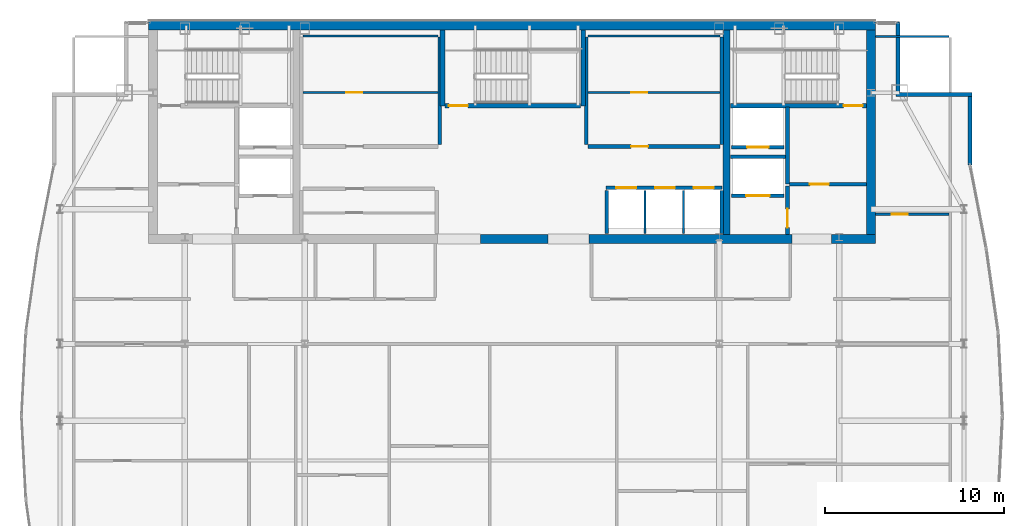
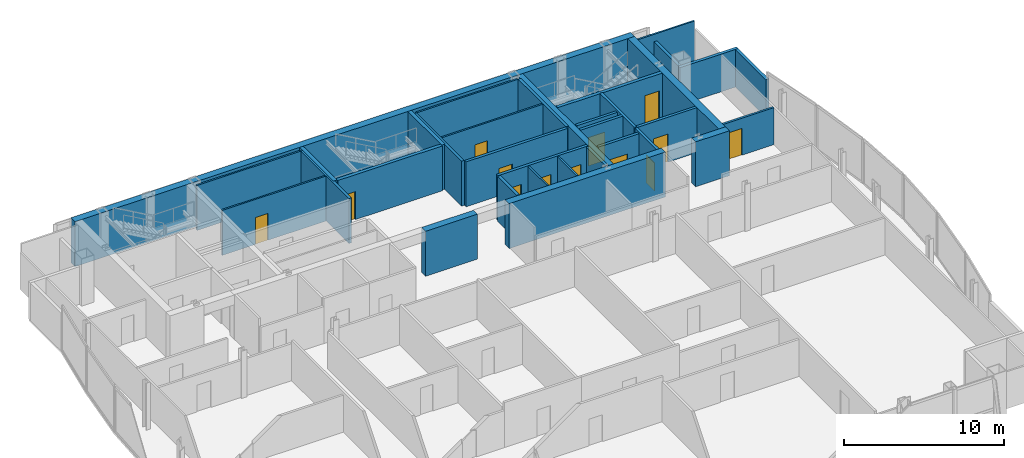
# One storey, part 24 of 27: 34 walls, 13 doors, 13 openings.
"""IFC4 building model written with IfcOpenShell, lengths in metres."""

from ifc_helpers import new_model, si_unit, direction, frame, frame_2d, origin, place, context, subcontext, project, spatial, rectangle, extrude, material, layer, layer_set, type_object, element, fill, save


model = new_model("IFC4")

# Units and contexts
model_context = context("Model", 3, precision=1e-05, world=origin(), true_north=direction((0.0, 1.0)))
body_context = subcontext(model_context, "Body", "Model", "MODEL_VIEW")
ifc_project = project(units=[si_unit("LENGTHUNIT", "METRE"), si_unit("AREAUNIT", "SQUARE_METRE"), si_unit("VOLUMEUNIT", "CUBIC_METRE"), si_unit("PLANEANGLEUNIT", "RADIAN"), si_unit("MASSUNIT", "GRAM", prefix="KILO")], contexts=[model_context])

# Site, building, storey
site_placement = place(None, origin())
site = spatial("IfcSite", under=ifc_project, at=site_placement, CompositionType="ELEMENT")
building_placement = place(site_placement, origin())
building = spatial("IfcBuilding", under=site, at=building_placement, Name="Khoronbel Lancet Exchange", CompositionType="ELEMENT")
storey_placement = place(building_placement, frame((0.0, 0.0, 332.60009765625)))
storey = spatial("IfcBuildingStorey", under=building, at=storey_placement, Name="L86", CompositionType="ELEMENT", Elevation=332.60009765625)

# Walls
ifc_material_1 = material(Name="Concrete C60/75", Category="concrete")
ifc_layer_1 = layer(ifc_material_1, 0.5, Name="Concrete C60/75")
ifc_layer_set_1 = layer_set([ifc_layer_1], Name="Concrete C60/75")
wall_type_1 = type_object("IfcWallType", Name="WL-CW4", PredefinedType="SHEAR", material=ifc_layer_set_1)
wall_1_placement = place(storey_placement, frame((16.199951171875, 53.449951171875, 0.0), z_axis=(0.0, 0.0, 1.0), x_axis=(1.0, 0.0, 0.0)))
element("IfcWall", 1, at=wall_1_placement, inside=storey, type_object=wall_type_1, Name="Level L86 rear core north shear wall", PredefinedType="SHEAR", context=body_context, shape_type="SweptSolid", body=[
    extrude(rectangle(XDim=40.5, YDim=0.5, at=frame_2d((20.25, 0.0))), origin(), (0.0, 0.0, 1.0), 3.43994140625),
])
wall_2_placement = place(storey_placement, frame((56.449951171875, 53.199951171875, 0.0), z_axis=(0.0, 0.0, 1.0), x_axis=(0.0, -1.0, 0.0)))
element("IfcWall", 2, at=wall_2_placement, inside=storey, type_object=wall_type_1, Name="Level L86 rear core east shear wall", PredefinedType="SHEAR", context=body_context, shape_type="SweptSolid", body=[
    extrude(rectangle(XDim=11.39990234375, YDim=0.5, at=frame_2d((5.699951171875, 0.0))), origin(), (0.0, 0.0, 1.0), 3.43994140625),
])
wall_3_placement = place(storey_placement, frame((38.449951171875, 41.550048828125, 0.0), z_axis=(0.0, 0.0, 1.0), x_axis=(-1.0, 0.0, 0.0)))
element("IfcWall", 3, at=wall_3_placement, inside=storey, type_object=wall_type_1, Name="Level L86 rear core south shear wall pier P3", PredefinedType="SHEAR", context=body_context, shape_type="SweptSolid", body=[
    extrude(rectangle(XDim=3.75, YDim=0.5, at=frame_2d((1.875, 0.0))), origin(), (0.0, 0.0, 1.0), 3.43994140625),
])
wall_4_placement = place(storey_placement, frame((52.050048828125, 41.550048828125, 0.0), z_axis=(0.0, 0.0, 1.0), x_axis=(-1.0, 0.0, 0.0)))
element("IfcWall", 4, at=wall_4_placement, inside=storey, type_object=wall_type_1, Name="Level L86 rear core south shear wall pier P4", PredefinedType="SHEAR", context=body_context, shape_type="SweptSolid", body=[
    extrude(rectangle(XDim=11.300048828125, YDim=0.5, at=frame_2d((5.64990234375, 0.0))), origin(), (0.0, 0.0, 1.0), 3.43994140625),
])
wall_5_placement = place(storey_placement, frame((56.699951171875, 41.550048828125, 0.0), z_axis=(0.0, 0.0, 1.0), x_axis=(-1.0, 0.0, 0.0)))
element("IfcWall", 5, at=wall_5_placement, inside=storey, type_object=wall_type_1, Name="Level L86 rear core south shear wall pier P5", PredefinedType="SHEAR", context=body_context, shape_type="SweptSolid", body=[
    extrude(rectangle(XDim=2.449951171875, YDim=0.5, at=frame_2d((1.22509765625, 0.0))), origin(), (0.0, 0.0, 1.0), 3.43994140625),
])
ifc_material_2 = material(Name="Precast concrete C40/50", Category="concrete")
ifc_layer_2 = layer(ifc_material_2, 0.25, Name="Precast concrete C40/50")
ifc_layer_set_2 = layer_set([ifc_layer_2], Name="Precast concrete C40/50")
wall_type_2 = type_object("IfcWallType", Name="WL-EXT250", PredefinedType="SOLIDWALL", material=ifc_layer_set_2)
wall_6_placement = place(storey_placement, frame((57.9599609375, 53.6298828125, 0.0), z_axis=(0.0, 0.0, 1.0), x_axis=(0.0, -1.0, 0.0)))
element("IfcWall", 6, at=wall_6_placement, inside=storey, type_object=wall_type_2, Name="Level L86 notched-corner limestone pier 14", PredefinedType="SOLIDWALL", context=body_context, shape_type="SweptSolid", body=[
    extrude(rectangle(XDim=3.909912109375, YDim=0.219970703125, at=frame_2d((1.955078125, 0.0))), origin(), (0.0, 0.0, 1.0), 2.8798828125),
])
wall_7_placement = place(storey_placement, frame((57.85009765625, 49.610107421875, 0.0), z_axis=(0.0, 0.0, 1.0), x_axis=(1.0, 0.0, 0.0)))
element("IfcWall", 7, at=wall_7_placement, inside=storey, type_object=wall_type_2, Name="Level L86 notched-corner limestone pier 15", PredefinedType="SOLIDWALL", context=body_context, shape_type="SweptSolid", body=[
    extrude(rectangle(XDim=4.219970703125, YDim=0.219970703125, at=frame_2d((2.10986328125, 0.0))), origin(), (0.0, 0.0, 1.0), 2.8798828125),
])
wall_8_placement = place(storey_placement, frame((61.9599609375, 49.5, 0.0), z_axis=(0.0, 0.0, 1.0), x_axis=(0.0, -1.0, 0.0)))
element("IfcWall", 8, at=wall_8_placement, inside=storey, type_object=wall_type_2, Name="Level L86 notched-corner limestone pier 16", PredefinedType="SOLIDWALL", context=body_context, shape_type="SweptSolid", body=[
    extrude(rectangle(XDim=3.82861328125, YDim=0.219970703125, at=frame_2d((1.914306640625, 0.0))), origin(), (0.0, 0.0, 1.0), 2.8798828125),
])

# Wall, opening, door
ifc_material_3 = material(Name="Acoustic Metal-Stud & Mineral-Wool Gypsum Partition 120 mm", Category="gypsum")
ifc_layer_3 = layer(ifc_material_3, 0.1201171875, Name="Acoustic Metal-Stud & Mineral-Wool Gypsum Partition 120 mm")
ifc_layer_set_3 = layer_set([ifc_layer_3], Name="Acoustic Metal-Stud & Mineral-Wool Gypsum Partition 120 mm")
wall_type_3 = type_object("IfcWallType", Name="WL-PRT120", PredefinedType="PARTITIONING", material=ifc_layer_set_3)
wall_9_placement = place(storey_placement, frame((56.699951171875, 42.919921875, 0.0), z_axis=(0.0, 0.0, 1.0), x_axis=(1.0, 0.0, 0.0)))
wall_9 = element("IfcWall", 9, at=wall_9_placement, inside=storey, type_object=wall_type_3, Name="Level L86 interior partition PW-NE-H", PredefinedType="PARTITIONING", context=body_context, shape_type="SweptSolid", body=[
    extrude(rectangle(XDim=4.10498046875, YDim=0.14990234375, at=frame_2d((2.052490234375, 0.0))), origin(), (0.0, 0.0, 1.0), 2.829833984375),
])
opening_1_placement = place(wall_9_placement, frame((0.89990234375, 0.0, 0.0)))
opening_1 = element("IfcOpeningElement", 10, at=opening_1_placement, cuts=wall_9, Name="Opening D5", PredefinedType="OPENING", context=body_context, shape_type="SweptSolid", body=[
    extrude(rectangle(XDim=0.89990234375, YDim=2.050048828125, at=frame_2d((0.449951171875, 1.02490234375))), frame((0.0, 0.0849609375, 0.0), z_axis=(0.0, -1.0, 0.0), x_axis=(1.0, 0.0, 0.0)), (0.0, 0.0, 1.0), 0.169921875),
])
ifc_material_4 = material(Name="Acoustic Timber Pantry & Support Door", Category="wood")
door_type_1 = type_object("IfcDoorType", Name="DR-D5", OperationType="NOTDEFINED", PredefinedType="DOOR", material=ifc_material_4)
door_1_placement = place(opening_1_placement, origin())
door_1 = element("IfcDoor", 11, at=door_1_placement, inside=storey, type_object=door_type_1, Name="NE north room door L86-1", OperationType="SINGLE_SWING_LEFT", OverallHeight=2.050048828125, OverallWidth=0.89990234375, PredefinedType="DOOR", context=body_context, shape_type="SweptSolid", body=[
    extrude(rectangle(XDim=0.89990234375, YDim=2.050048828125, at=frame_2d((0.449951171875, 1.02490234375))), frame((0.0, 0.02490234375, 0.0), z_axis=(0.0, -1.0, 0.0), x_axis=(1.0, 0.0, 0.0)), (0.0, 0.0, 1.0), 0.050048828125),
])
fill(opening_1, door_1)

# Walls
wall_10_placement = place(storey_placement, frame((56.699951171875, 52.840087890625, 0.0), z_axis=(0.0, 0.0, 1.0), x_axis=(1.0, 0.0, 0.0)))
element("IfcWall", 12, at=wall_10_placement, inside=storey, type_object=wall_type_3, Name="Level L86 interior partition PW-LIN-NE", PredefinedType="PARTITIONING", context=body_context, shape_type="SweptSolid", body=[
    extrude(rectangle(XDim=4.10498046875, YDim=0.1201171875, at=frame_2d((2.052490234375, 0.0))), origin(), (0.0, 0.0, 1.0), 3.43994140625),
])
ifc_material_5 = material(Name="Fire-Rated Metal-Stud & Mineral-Wool Gypsum Partition 120 mm", Category="gypsum")
ifc_layer_4 = layer(ifc_material_5, 0.1201171875, Name="Fire-Rated Metal-Stud & Mineral-Wool Gypsum Partition 120 mm")
ifc_layer_set_4 = layer_set([ifc_layer_4], Name="Fire-Rated Metal-Stud & Mineral-Wool Gypsum Partition 120 mm")
wall_type_4 = type_object("IfcWallType", Name="WL-PRT120F", PredefinedType="PARTITIONING", material=ifc_layer_set_4)
wall_11_placement = place(storey_placement, frame((24.804931640625, 52.860107421875, 0.0), z_axis=(0.0, 0.0, 1.0), x_axis=(1.0, 0.0, 0.0)))
element("IfcWall", 13, at=wall_11_placement, inside=storey, type_object=wall_type_4, Name="Level L86 interior partition CW-PL-RN", PredefinedType="PARTITIONING", context=body_context, shape_type="SweptSolid", body=[
    extrude(rectangle(XDim=7.510009765625, YDim=0.1201171875, at=frame_2d((3.7548828125, 0.0))), origin(), (0.0, 0.0, 1.0), 3.43994140625),
])

# Wall, opening, door
wall_12_placement = place(storey_placement, frame((24.804931640625, 49.708740234375, 0.0), z_axis=(0.0, 0.0, 1.0), x_axis=(1.0, 0.0, 0.0)))
wall_12 = element("IfcWall", 14, at=wall_12_placement, inside=storey, type_object=wall_type_4, Name="Level L86 interior partition CW-PL-RH", PredefinedType="PARTITIONING", context=body_context, shape_type="SweptSolid", body=[
    extrude(rectangle(XDim=7.510009765625, YDim=0.1201171875, at=frame_2d((3.7548828125, 0.0))), origin(), (0.0, 0.0, 1.0), 3.43994140625),
])
opening_2_placement = place(wall_12_placement, frame((2.39990234375, 0.0, 0.0)))
opening_2 = element("IfcOpeningElement", 15, at=opening_2_placement, cuts=wall_12, Name="Opening FD4", PredefinedType="OPENING", context=body_context, shape_type="SweptSolid", body=[
    extrude(rectangle(XDim=0.89990234375, YDim=2.050048828125, at=frame_2d((0.449951171875, 1.02490234375))), frame((0.0, 0.070068359375, 0.0), z_axis=(0.0, -1.0, 0.0), x_axis=(1.0, 0.0, 0.0)), (0.0, 0.0, 1.0), 0.14013671875),
])
ifc_material_6 = material(Name="Fire-Rated Steel Core Support Door Assembly", Category="steel")
door_type_2 = type_object("IfcDoorType", Name="DR-FD4", OperationType="NOTDEFINED", PredefinedType="DOOR", material=ifc_material_6)
door_2_placement = place(opening_2_placement, origin())
door_2 = element("IfcDoor", 16, at=door_2_placement, inside=storey, type_object=door_type_2, Name="Core PL inner store door L86-1", OperationType="SINGLE_SWING_LEFT", OverallHeight=2.050048828125, OverallWidth=0.89990234375, PredefinedType="DOOR", context=body_context, shape_type="SweptSolid", body=[
    extrude(rectangle(XDim=0.89990234375, YDim=2.050048828125, at=frame_2d((0.449951171875, 1.02490234375))), frame((0.0, 0.02490234375, 0.0), z_axis=(0.0, -1.0, 0.0), x_axis=(1.0, 0.0, 0.0)), (0.0, 0.0, 1.0), 0.050048828125),
])
fill(opening_2, door_2)

# Wall
wall_13_placement = place(storey_placement, frame((40.68505859375, 52.860107421875, 0.0), z_axis=(0.0, 0.0, 1.0), x_axis=(1.0, 0.0, 0.0)))
element("IfcWall", 17, at=wall_13_placement, inside=storey, type_object=wall_type_4, Name="Level L86 interior partition CW-PH-RN", PredefinedType="PARTITIONING", context=body_context, shape_type="SweptSolid", body=[
    extrude(rectangle(XDim=7.349853515625, YDim=0.1201171875, at=frame_2d((3.6748046875, 0.0))), origin(), (0.0, 0.0, 1.0), 3.43994140625),
])

# Wall, opening, door
wall_14_placement = place(storey_placement, frame((40.68505859375, 49.708740234375, 0.0), z_axis=(0.0, 0.0, 1.0), x_axis=(1.0, 0.0, 0.0)))
wall_14 = element("IfcWall", 18, at=wall_14_placement, inside=storey, type_object=wall_type_4, Name="Level L86 interior partition CW-PH-RH", PredefinedType="PARTITIONING", context=body_context, shape_type="SweptSolid", body=[
    extrude(rectangle(XDim=7.349853515625, YDim=0.1201171875, at=frame_2d((3.6748046875, 0.0))), origin(), (0.0, 0.0, 1.0), 3.43994140625),
])
opening_3_placement = place(wall_14_placement, frame((2.39990234375, 0.0, 0.0)))
opening_3 = element("IfcOpeningElement", 19, at=opening_3_placement, cuts=wall_14, Name="Opening FD4", PredefinedType="OPENING", context=body_context, shape_type="SweptSolid", body=[
    extrude(rectangle(XDim=0.89990234375, YDim=2.050048828125, at=frame_2d((0.449951171875, 1.02490234375))), frame((0.0, 0.070068359375, 0.0), z_axis=(0.0, -1.0, 0.0), x_axis=(1.0, 0.0, 0.0)), (0.0, 0.0, 1.0), 0.14013671875),
])
door_3_placement = place(opening_3_placement, origin())
door_3 = element("IfcDoor", 20, at=door_3_placement, inside=storey, type_object=door_type_2, Name="Core PH inner store door L86-1", OperationType="SINGLE_SWING_LEFT", OverallHeight=2.050048828125, OverallWidth=0.89990234375, PredefinedType="DOOR", context=body_context, shape_type="SweptSolid", body=[
    extrude(rectangle(XDim=0.89990234375, YDim=2.050048828125, at=frame_2d((0.449951171875, 1.02490234375))), frame((0.0, 0.02490234375, 0.0), z_axis=(0.0, -1.0, 0.0), x_axis=(1.0, 0.0, 0.0)), (0.0, 0.0, 1.0), 0.050048828125),
])
fill(opening_3, door_3)

# Walls
for number, where, z_axis, x_axis, name in (
    (21, (43.860107421875, 41.85009765625, 0.0), (0.0, 0.0, 1.0), (0.0, 1.0, 0.0), "Level L86 interior partition CW-PX-D1"),
    (22, (46.0, 41.85009765625, 0.0), (0.0, 0.0, 1.0), (0.0, 1.0, 0.0), "Level L86 interior partition CW-PX-D2"),
):
    element("IfcWall", number, at=place(storey_placement, frame(where, z_axis=z_axis, x_axis=x_axis)), inside=storey, type_object=wall_type_4, Name=name, PredefinedType="PARTITIONING", context=body_context, shape_type="SweptSolid", body=[
        extrude(rectangle(XDim=2.39990234375, YDim=0.1201171875, at=frame_2d((1.199951171875, 0.0))), origin(), (0.0, 0.0, 1.0), 3.43994140625),
    ])

# Wall, openings, doors
ifc_material_7 = material(Name="Autoclaved Aerated Concrete Blockwork 200 mm", Category="masonry")
ifc_layer_5 = layer(ifc_material_7, 0.199951171875, Name="Autoclaved Aerated Concrete Blockwork 200 mm")
ifc_layer_set_5 = layer_set([ifc_layer_5], Name="Autoclaved Aerated Concrete Blockwork 200 mm")
wall_type_5 = type_object("IfcWallType", Name="WL-PRT200", PredefinedType="PARTITIONING", material=ifc_layer_set_5)
wall_15_placement = place(storey_placement, frame((41.679931640625, 44.39990234375, 0.0), z_axis=(0.0, 0.0, 1.0), x_axis=(1.0, 0.0, 0.0)))
wall_15 = element("IfcWall", 23, at=wall_15_placement, inside=storey, type_object=wall_type_5, Name="Level L86 elevator hoistway landing front wall PXE", PredefinedType="PARTITIONING", context=body_context, shape_type="SweptSolid", body=[
    extrude(rectangle(XDim=6.47998046875, YDim=0.199951171875, at=frame_2d((3.239990234375, 0.0))), origin(), (0.0, 0.0, 1.0), 3.43994140625),
])
opening_4_placement = place(wall_15_placement, frame((0.580078125, 0.0, 0.0)))
opening_4 = element("IfcOpeningElement", 24, at=opening_4_placement, cuts=wall_15, Name="Opening LD-PX1", PredefinedType="OPENING", context=body_context, shape_type="SweptSolid", body=[
    extrude(rectangle(XDim=1.10009765625, YDim=2.179931640625, at=frame_2d((0.550048828125, 1.08984375))), frame((0.0, 0.10986328125, 0.0), z_axis=(0.0, -1.0, 0.0), x_axis=(1.0, 0.0, 0.0)), (0.0, 0.0, 1.0), 0.219970703125),
])
opening_5_placement = place(wall_15_placement, frame((2.739990234375, 0.0, 0.0)))
opening_5 = element("IfcOpeningElement", 25, at=opening_5_placement, cuts=wall_15, Name="Opening LD-PX2", PredefinedType="OPENING", context=body_context, shape_type="SweptSolid", body=[
    extrude(rectangle(XDim=1.10009765625, YDim=2.179931640625, at=frame_2d((0.550048828125, 1.08984375))), frame((0.0, 0.10986328125, 0.0), z_axis=(0.0, -1.0, 0.0), x_axis=(1.0, 0.0, 0.0)), (0.0, 0.0, 1.0), 0.219970703125),
])
opening_6_placement = place(wall_15_placement, frame((4.89990234375, 0.0, 0.0)))
opening_6 = element("IfcOpeningElement", 26, at=opening_6_placement, cuts=wall_15, Name="Opening LD-PX3", PredefinedType="OPENING", context=body_context, shape_type="SweptSolid", body=[
    extrude(rectangle(XDim=1.10009765625, YDim=2.179931640625, at=frame_2d((0.550048828125, 1.08984375))), frame((0.0, 0.10986328125, 0.0), z_axis=(0.0, -1.0, 0.0), x_axis=(1.0, 0.0, 0.0)), (0.0, 0.0, 1.0), 0.219970703125),
])
ifc_material_8 = material(Name="Brushed Bronze Bi-Parting Elevator Landing Door", Category="steel")
door_type_3 = type_object("IfcDoorType", Name="DR-LD-PAX", OperationType="NOTDEFINED", PredefinedType="DOOR", material=ifc_material_8)
door_4_placement = place(opening_4_placement, origin())
door_4 = element("IfcDoor", 27, at=door_4_placement, inside=storey, type_object=door_type_3, Name="Elevator landing sliding door LD-PX1 L86", OperationType="SLIDING_TO_LEFT", OverallHeight=2.179931640625, OverallWidth=1.10009765625, PredefinedType="DOOR", context=body_context, shape_type="SweptSolid", body=[
    extrude(rectangle(XDim=1.10009765625, YDim=2.179931640625, at=frame_2d((0.550048828125, 1.08984375))), frame((0.0, 0.02490234375, 0.0), z_axis=(0.0, -1.0, 0.0), x_axis=(1.0, 0.0, 0.0)), (0.0, 0.0, 1.0), 0.050048828125),
])
fill(opening_4, door_4)
door_5_placement = place(opening_5_placement, origin())
door_5 = element("IfcDoor", 28, at=door_5_placement, inside=storey, type_object=door_type_3, Name="Elevator landing sliding door LD-PX2 L86", OperationType="SLIDING_TO_LEFT", OverallHeight=2.179931640625, OverallWidth=1.10009765625, PredefinedType="DOOR", context=body_context, shape_type="SweptSolid", body=[
    extrude(rectangle(XDim=1.10009765625, YDim=2.179931640625, at=frame_2d((0.550048828125, 1.08984375))), frame((0.0, 0.02490234375, 0.0), z_axis=(0.0, -1.0, 0.0), x_axis=(1.0, 0.0, 0.0)), (0.0, 0.0, 1.0), 0.050048828125),
])
fill(opening_5, door_5)
door_6_placement = place(opening_6_placement, origin())
door_6 = element("IfcDoor", 29, at=door_6_placement, inside=storey, type_object=door_type_3, Name="Elevator landing sliding door LD-PX3 L86", OperationType="SLIDING_TO_LEFT", OverallHeight=2.179931640625, OverallWidth=1.10009765625, PredefinedType="DOOR", context=body_context, shape_type="SweptSolid", body=[
    extrude(rectangle(XDim=1.10009765625, YDim=2.179931640625, at=frame_2d((0.550048828125, 1.08984375))), frame((0.0, 0.02490234375, 0.0), z_axis=(0.0, -1.0, 0.0), x_axis=(1.0, 0.0, 0.0)), (0.0, 0.0, 1.0), 0.050048828125),
])
fill(opening_6, door_6)

# Wall, opening, door
wall_16_placement = place(storey_placement, frame((51.610107421875, 43.949951171875, 0.0), z_axis=(0.0, 0.0, 1.0), x_axis=(-1.0, 0.0, 0.0)))
wall_16 = element("IfcWall", 30, at=wall_16_placement, inside=storey, type_object=wall_type_5, Name="Level L86 elevator hoistway landing front wall SVLE", PredefinedType="PARTITIONING", context=body_context, shape_type="SweptSolid", body=[
    extrude(rectangle(XDim=2.920166015625, YDim=0.199951171875, at=frame_2d((1.4599609375, 0.0))), origin(), (0.0, 0.0, 1.0), 3.43994140625),
])
opening_7_placement = place(wall_16_placement, frame((0.81005859375, 0.0, 0.0)))
opening_7 = element("IfcOpeningElement", 31, at=opening_7_placement, cuts=wall_16, Name="Opening LD-SVL2", PredefinedType="OPENING", context=body_context, shape_type="SweptSolid", body=[
    extrude(rectangle(XDim=1.300048828125, YDim=2.179931640625, at=frame_2d((0.64990234375, 1.08984375))), frame((0.0, 0.10986328125, 0.0), z_axis=(0.0, -1.0, 0.0), x_axis=(1.0, 0.0, 0.0)), (0.0, 0.0, 1.0), 0.219970703125),
])
ifc_material_9 = material(Name="Heavy-Duty Bi-Parting Goods Lift Landing Door", Category="steel")
door_type_4 = type_object("IfcDoorType", Name="DR-LD-SVL", OperationType="NOTDEFINED", PredefinedType="DOOR", material=ifc_material_9)
door_7_placement = place(opening_7_placement, origin())
door_7 = element("IfcDoor", 32, at=door_7_placement, inside=storey, type_object=door_type_4, Name="Elevator landing sliding door LD-SVL2 L86", OperationType="SLIDING_TO_LEFT", OverallHeight=2.179931640625, OverallWidth=1.300048828125, PredefinedType="DOOR", context=body_context, shape_type="SweptSolid", body=[
    extrude(rectangle(XDim=1.300048828125, YDim=2.179931640625, at=frame_2d((0.64990234375, 1.08984375))), frame((0.0, 0.02490234375, 0.0), z_axis=(0.0, -1.0, 0.0), x_axis=(1.0, 0.0, 0.0)), (0.0, 0.0, 1.0), 0.050048828125),
])
fill(opening_7, door_7)

wall_17_placement = place(storey_placement, frame((51.610107421875, 46.64990234375, 0.0), z_axis=(0.0, 0.0, 1.0), x_axis=(-1.0, 0.0, 0.0)))
wall_17 = element("IfcWall", 33, at=wall_17_placement, inside=storey, type_object=wall_type_5, Name="Level L86 elevator hoistway landing front wall FFLE", PredefinedType="PARTITIONING", context=body_context, shape_type="SweptSolid", body=[
    extrude(rectangle(XDim=2.920166015625, YDim=0.199951171875, at=frame_2d((1.4599609375, 0.0))), origin(), (0.0, 0.0, 1.0), 3.43994140625),
])
opening_8_placement = place(wall_17_placement, frame((0.860107421875, 0.0, 0.0)))
opening_8 = element("IfcOpeningElement", 34, at=opening_8_placement, cuts=wall_17, Name="Opening LD-FFL2", PredefinedType="OPENING", context=body_context, shape_type="SweptSolid", body=[
    extrude(rectangle(XDim=1.199951171875, YDim=2.179931640625, at=frame_2d((0.60009765625, 1.08984375))), frame((0.0, 0.10986328125, 0.0), z_axis=(0.0, -1.0, 0.0), x_axis=(1.0, 0.0, 0.0)), (0.0, 0.0, 1.0), 0.219970703125),
])
ifc_material_10 = material(Name="Fire-Rated Stainless Bi-Parting Firefighting Lift Door", Category="steel")
door_type_5 = type_object("IfcDoorType", Name="DR-LD-FFL", OperationType="NOTDEFINED", PredefinedType="DOOR", material=ifc_material_10)
door_8_placement = place(opening_8_placement, origin())
door_8 = element("IfcDoor", 35, at=door_8_placement, inside=storey, type_object=door_type_5, Name="Elevator landing sliding door LD-FFL2 L86", OperationType="SLIDING_TO_LEFT", OverallHeight=2.179931640625, OverallWidth=1.199951171875, PredefinedType="DOOR", context=body_context, shape_type="SweptSolid", body=[
    extrude(rectangle(XDim=1.199951171875, YDim=2.179931640625, at=frame_2d((0.60009765625, 1.08984375))), frame((0.0, 0.02490234375, 0.0), z_axis=(0.0, -1.0, 0.0), x_axis=(1.0, 0.0, 0.0)), (0.0, 0.0, 1.0), 0.050048828125),
])
fill(opening_8, door_8)

# Wall
wall_18_placement = place(storey_placement, frame((51.800048828125, 44.60009765625, 0.0), z_axis=(0.0, 0.0, 1.0), x_axis=(0.0, 1.0, 0.0)))
element("IfcWall", 36, at=wall_18_placement, inside=storey, type_object=wall_type_5, Name="Level L86 interior partition CW-FFLE-W", PredefinedType="PARTITIONING", context=body_context, shape_type="SweptSolid", body=[
    extrude(rectangle(XDim=4.2998046875, YDim=0.199951171875, at=frame_2d((2.14990234375, 0.0))), origin(), (0.0, 0.0, 1.0), 3.43994140625),
])

# Wall, opening, door
wall_19_placement = place(storey_placement, frame((51.89990234375, 44.60009765625, 0.0), z_axis=(0.0, 0.0, 1.0), x_axis=(1.0, 0.0, 0.0)))
wall_19 = element("IfcWall", 37, at=wall_19_placement, inside=storey, type_object=wall_type_5, Name="Level L86 interior partition CW-FFLE-S", PredefinedType="PARTITIONING", context=body_context, shape_type="SweptSolid", body=[
    extrude(rectangle(XDim=4.300048828125, YDim=0.199951171875, at=frame_2d((2.14990234375, 0.0))), origin(), (0.0, 0.0, 1.0), 3.43994140625),
])
opening_9_placement = place(wall_19_placement, frame((1.14990234375, 0.0, 0.0)))
opening_9 = element("IfcOpeningElement", 38, at=opening_9_placement, cuts=wall_19, Name="Opening FD1", PredefinedType="OPENING", context=body_context, shape_type="SweptSolid", body=[
    extrude(rectangle(XDim=1.050048828125, YDim=2.14990234375, at=frame_2d((0.52490234375, 1.074951171875))), frame((0.0, 0.10986328125, 0.0), z_axis=(0.0, -1.0, 0.0), x_axis=(1.0, 0.0, 0.0)), (0.0, 0.0, 1.0), 0.219970703125),
])
ifc_material_11 = material(Name="Fire-Rated Painted Steel Door Assembly", Category="steel")
door_type_6 = type_object("IfcDoorType", Name="DR-FD1", OperationType="NOTDEFINED", PredefinedType="DOOR", material=ifc_material_11)
door_9_placement = place(opening_9_placement, origin())
door_9 = element("IfcDoor", 39, at=door_9_placement, inside=storey, type_object=door_type_6, Name="East firefighting lobby FD90S door L86-1", OperationType="SINGLE_SWING_LEFT", OverallHeight=2.14990234375, OverallWidth=1.050048828125, PredefinedType="DOOR", context=body_context, shape_type="SweptSolid", body=[
    extrude(rectangle(XDim=1.050048828125, YDim=2.14990234375, at=frame_2d((0.52490234375, 1.074951171875))), frame((0.0, 0.02490234375, 0.0), z_axis=(0.0, -1.0, 0.0), x_axis=(1.0, 0.0, 0.0)), (0.0, 0.0, 1.0), 0.050048828125),
])
fill(opening_9, door_9)

# Wall
wall_20_placement = place(storey_placement, frame((48.6298828125, 46.1201171875, 0.0), z_axis=(0.0, 0.0, 1.0), x_axis=(1.0, 0.0, 0.0)))
element("IfcWall", 40, at=wall_20_placement, inside=storey, type_object=wall_type_5, Name="Level L86 interior partition CW-FFL2-S", PredefinedType="PARTITIONING", context=body_context, shape_type="SweptSolid", body=[
    extrude(rectangle(XDim=3.070068359375, YDim=0.199951171875, at=frame_2d((1.53515625, 0.0))), origin(), (0.0, 0.0, 1.0), 3.43994140625),
])

# Wall, opening, door
wall_21_placement = place(storey_placement, frame((51.800048828125, 41.800048828125, 0.0), z_axis=(0.0, 0.0, 1.0), x_axis=(0.0, 1.0, 0.0)))
wall_21 = element("IfcWall", 41, at=wall_21_placement, inside=storey, type_object=wall_type_5, Name="Level L86 interior partition CW-SVLE-E", PredefinedType="PARTITIONING", context=body_context, shape_type="SweptSolid", body=[
    extrude(rectangle(XDim=2.695068359375, YDim=0.199951171875, at=frame_2d((1.34765625, 0.0))), origin(), (0.0, 0.0, 1.0), 3.43994140625),
])
opening_10_placement = place(wall_21_placement, frame((0.3798828125, 0.0, 0.0)))
opening_10 = element("IfcOpeningElement", 42, at=opening_10_placement, cuts=wall_21, Name="Opening FD1", PredefinedType="OPENING", context=body_context, shape_type="SweptSolid", body=[
    extrude(rectangle(XDim=1.050048828125, YDim=2.14990234375, at=frame_2d((0.52490234375, 1.074951171875))), frame((0.0, 0.10986328125, 0.0), z_axis=(0.0, -1.0, 0.0), x_axis=(1.0, 0.0, 0.0)), (0.0, 0.0, 1.0), 0.219970703125),
])
door_10_placement = place(opening_10_placement, origin())
door_10 = element("IfcDoor", 43, at=door_10_placement, inside=storey, type_object=door_type_6, Name="East service lift lobby door L86-1", OperationType="SINGLE_SWING_RIGHT", OverallHeight=2.14990234375, OverallWidth=1.050048828125, PredefinedType="DOOR", context=body_context, shape_type="SweptSolid", body=[
    extrude(rectangle(XDim=1.050048828125, YDim=2.14990234375, at=frame_2d((0.52490234375, 1.074951171875))), frame((0.0, 0.02490234375, 0.0), z_axis=(0.0, -1.0, 0.0), x_axis=(1.0, 0.0, 0.0)), (0.0, 0.0, 1.0), 0.050048828125),
])
fill(opening_10, door_10)

# Walls
for number, where, z_axis, x_axis, name in (
    (44, (32.419921875, 46.804931640625, 0.0), (0.0, 0.0, 1.0), (0.0, 1.0, 0.0), "Level L86 interior partition CW-PL-RE"),
    (45, (40.580078125, 46.804931640625, 0.0), (0.0, 0.0, 1.0), (0.0, 1.0, 0.0), "Level L86 interior partition CW-PH-RW"),
    (46, (48.139892578125, 46.804931640625, 0.0), (0.0, 0.0, 1.0), (0.0, 1.0, 0.0), "Level L86 interior partition CW-PH-RE"),
):
    element("IfcWall", number, at=place(storey_placement, frame(where, z_axis=z_axis, x_axis=x_axis)), inside=storey, type_object=wall_type_5, Name=name, PredefinedType="PARTITIONING", context=body_context, shape_type="SweptSolid", body=[
        extrude(rectangle(XDim=5.989990234375, YDim=0.199951171875, at=frame_2d((2.9951171875, 0.0))), origin(), (0.0, 0.0, 1.0), 3.43994140625),
    ])

# Wall, opening, door
wall_22_placement = place(storey_placement, frame((40.68505859375, 46.699951171875, 0.0), z_axis=(0.0, 0.0, 1.0), x_axis=(1.0, 0.0, 0.0)))
wall_22 = element("IfcWall", 47, at=wall_22_placement, inside=storey, type_object=wall_type_5, Name="Level L86 interior partition CW-PH-RF", PredefinedType="PARTITIONING", context=body_context, shape_type="SweptSolid", body=[
    extrude(rectangle(XDim=7.349853515625, YDim=0.199951171875, at=frame_2d((3.6748046875, 0.0))), origin(), (0.0, 0.0, 1.0), 3.43994140625),
])
opening_11_placement = place(wall_22_placement, frame((2.39990234375, 0.0, 0.0)))
opening_11 = element("IfcOpeningElement", 48, at=opening_11_placement, cuts=wall_22, Name="Opening FD3", PredefinedType="OPENING", context=body_context, shape_type="SweptSolid", body=[
    extrude(rectangle(XDim=0.949951171875, YDim=2.10009765625, at=frame_2d((0.47509765625, 1.050048828125))), frame((0.0, 0.10986328125, 0.0), z_axis=(0.0, -1.0, 0.0), x_axis=(1.0, 0.0, 0.0)), (0.0, 0.0, 1.0), 0.219970703125),
])
ifc_material_12 = material(Name="Fire-Rated Steel Plant & Riser Door Assembly", Category="steel")
door_type_7 = type_object("IfcDoorType", Name="DR-FD3", OperationType="NOTDEFINED", PredefinedType="DOOR", material=ifc_material_12)
door_11_placement = place(opening_11_placement, origin())
door_11 = element("IfcDoor", 49, at=door_11_placement, inside=storey, type_object=door_type_7, Name="Core PH merged gallery room door L86-1", OperationType="SINGLE_SWING_RIGHT", OverallHeight=2.10009765625, OverallWidth=0.949951171875, PredefinedType="DOOR", context=body_context, shape_type="SweptSolid", body=[
    extrude(rectangle(XDim=0.949951171875, YDim=2.10009765625, at=frame_2d((0.47509765625, 1.050048828125))), frame((0.0, 0.02490234375, 0.0), z_axis=(0.0, -1.0, 0.0), x_axis=(1.0, 0.0, 0.0)), (0.0, 0.0, 1.0), 0.050048828125),
])
fill(opening_11, door_11)

# Walls
for number, where, z_axis, x_axis, name in (
    (50, (41.719970703125, 41.85009765625, 0.0), (0.0, 0.0, 1.0), (0.0, 1.0, 0.0), "Level L86 interior partition CW-PX-W"),
    (51, (48.139892578125, 41.85009765625, 0.0), (0.0, 0.0, 1.0), (0.0, 1.0, 0.0), "Level L86 interior partition CW-PX-E"),
):
    element("IfcWall", number, at=place(storey_placement, frame(where, z_axis=z_axis, x_axis=x_axis)), inside=storey, type_object=wall_type_5, Name=name, PredefinedType="PARTITIONING", context=body_context, shape_type="SweptSolid", body=[
        extrude(rectangle(XDim=2.39990234375, YDim=0.199951171875, at=frame_2d((1.199951171875, 0.0))), origin(), (0.0, 0.0, 1.0), 3.43994140625),
    ])
ifc_layer_6 = layer(ifc_material_1, 0.39990234375, Name="Concrete C60/75")
ifc_layer_set_6 = layer_set([ifc_layer_6], Name="Concrete C60/75")
wall_type_6 = type_object("IfcWallType", Name="WL-SW2", PredefinedType="SHEAR", material=ifc_layer_set_6)
wall_23_placement = place(storey_placement, frame((48.39990234375, 41.800048828125, 0.0), z_axis=(0.0, 0.0, 1.0), x_axis=(0.0, 1.0, 0.0)))
element("IfcWall", 52, at=wall_23_placement, inside=storey, type_object=wall_type_6, Name="Level L86 rear core internal spine shear wall IE", PredefinedType="SHEAR", context=body_context, shape_type="SweptSolid", body=[
    extrude(rectangle(XDim=11.39990234375, YDim=0.39990234375, at=frame_2d((5.699951171875, 0.0))), origin(), (0.0, 0.0, 1.0), 3.43994140625),
])
ifc_layer_7 = layer(ifc_material_1, 0.260009765625, Name="Concrete C60/75")
ifc_layer_set_7 = layer_set([ifc_layer_7], Name="Concrete C60/75")
wall_type_7 = type_object("IfcWallType", Name="WL-SW3", PredefinedType="SHEAR", material=ifc_layer_set_7)
for number, where, z_axis, x_axis, name in (
    (53, (32.580078125, 48.949951171875, 0.0), (0.0, 0.0, 1.0), (0.0, 1.0, 0.0), "Level L86 central stairwell structural shear wall ST3W"),
    (54, (40.419921875, 48.949951171875, 0.0), (0.0, 0.0, 1.0), (0.0, 1.0, 0.0), "Level L86 central stairwell structural shear wall ST3E"),
):
    element("IfcWall", number, at=place(storey_placement, frame(where, z_axis=z_axis, x_axis=x_axis)), inside=storey, type_object=wall_type_7, Name=name, PredefinedType="SHEAR", context=body_context, shape_type="SweptSolid", body=[
        extrude(rectangle(XDim=4.25, YDim=0.260009765625, at=frame_2d((2.125, 0.0))), origin(), (0.0, 0.0, 1.0), 3.43994140625),
    ])

# Wall, opening, door
wall_24_placement = place(storey_placement, frame((48.6298828125, 48.97998046875, 0.0), z_axis=(0.0, 0.0, 1.0), x_axis=(1.0, 0.0, 0.0)))
wall_24 = element("IfcWall", 55, at=wall_24_placement, inside=storey, type_object=wall_type_7, Name="Level L86 east stairwell structural south wall", PredefinedType="SHEAR", context=body_context, shape_type="SweptSolid", body=[
    extrude(rectangle(XDim=7.570068359375, YDim=0.239990234375, at=frame_2d((3.78515625, 0.0))), origin(), (0.0, 0.0, 1.0), 3.43994140625),
])
opening_12_placement = place(wall_24_placement, frame((6.300048828125, 0.0, 0.0)))
opening_12 = element("IfcOpeningElement", 56, at=opening_12_placement, cuts=wall_24, Name="Opening SD1", PredefinedType="OPENING", context=body_context, shape_type="SweptSolid", body=[
    extrude(rectangle(XDim=1.050048828125, YDim=2.14990234375, at=frame_2d((0.52490234375, 1.074951171875))), frame((0.0, 0.1298828125, 0.0), z_axis=(0.0, -1.0, 0.0), x_axis=(1.0, 0.0, 0.0)), (0.0, 0.0, 1.0), 0.260009765625),
])
ifc_material_13 = material(Name="Fire-Rated Steel Stairwell Door Assembly", Category="steel")
door_type_8 = type_object("IfcDoorType", Name="DR-SD1", OperationType="NOTDEFINED", PredefinedType="DOOR", material=ifc_material_13)
door_12_placement = place(opening_12_placement, origin())
door_12 = element("IfcDoor", 57, at=door_12_placement, inside=storey, type_object=door_type_8, Name="Protected exit stair ST2 door L86", OperationType="SINGLE_SWING_RIGHT", OverallHeight=2.14990234375, OverallWidth=1.050048828125, PredefinedType="DOOR", context=body_context, shape_type="SweptSolid", body=[
    extrude(rectangle(XDim=1.050048828125, YDim=2.14990234375, at=frame_2d((0.52490234375, 1.074951171875))), frame((0.0, 0.02490234375, 0.0), z_axis=(0.0, -1.0, 0.0), x_axis=(1.0, 0.0, 0.0)), (0.0, 0.0, 1.0), 0.050048828125),
])
fill(opening_12, door_12)

wall_25_placement = place(storey_placement, frame((32.719970703125, 48.97998046875, 0.0), z_axis=(0.0, 0.0, 1.0), x_axis=(1.0, 0.0, 0.0)))
wall_25 = element("IfcWall", 58, at=wall_25_placement, inside=storey, type_object=wall_type_7, Name="Level L86 central stairwell structural south wall", PredefinedType="SHEAR", context=body_context, shape_type="SweptSolid", body=[
    extrude(rectangle(XDim=7.56005859375, YDim=0.239990234375, at=frame_2d((3.780029296875, 0.0))), origin(), (0.0, 0.0, 1.0), 3.43994140625),
])
opening_13_placement = place(wall_25_placement, frame((0.219970703125, 0.0, 0.0)))
opening_13 = element("IfcOpeningElement", 59, at=opening_13_placement, cuts=wall_25, Name="Opening SD1", PredefinedType="OPENING", context=body_context, shape_type="SweptSolid", body=[
    extrude(rectangle(XDim=1.050048828125, YDim=2.14990234375, at=frame_2d((0.52490234375, 1.074951171875))), frame((0.0, 0.1298828125, 0.0), z_axis=(0.0, -1.0, 0.0), x_axis=(1.0, 0.0, 0.0)), (0.0, 0.0, 1.0), 0.260009765625),
])
door_13_placement = place(opening_13_placement, origin())
door_13 = element("IfcDoor", 60, at=door_13_placement, inside=storey, type_object=door_type_8, Name="Protected exit stair ST3 door L86", OperationType="SINGLE_SWING_LEFT", OverallHeight=2.14990234375, OverallWidth=1.050048828125, PredefinedType="DOOR", context=body_context, shape_type="SweptSolid", body=[
    extrude(rectangle(XDim=1.050048828125, YDim=2.14990234375, at=frame_2d((0.52490234375, 1.074951171875))), frame((0.0, 0.02490234375, 0.0), z_axis=(0.0, -1.0, 0.0), x_axis=(1.0, 0.0, 0.0)), (0.0, 0.0, 1.0), 0.050048828125),
])
fill(opening_13, door_13)

save(model, "model.ifc")
